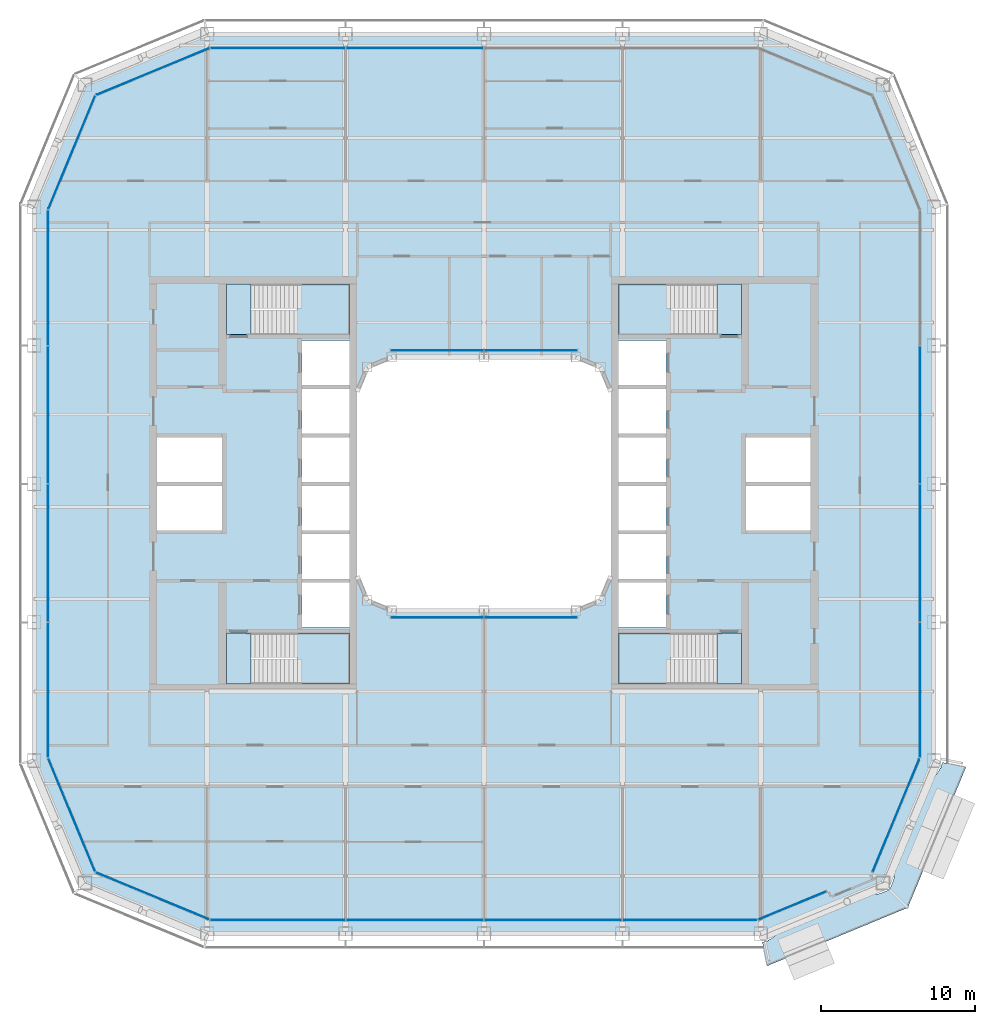
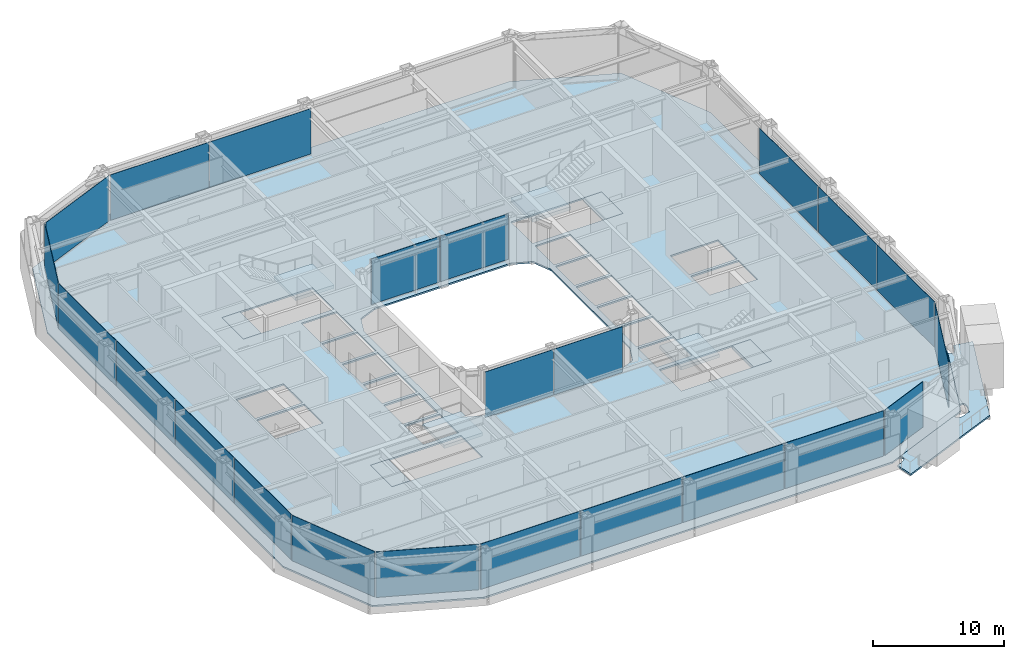
# One storey, part 10 of 23: 23 plates, 10 slabs, 16 elements without a shape of their own.
"""IFC4 building model written with IfcOpenShell, lengths in metres."""

from ifc_helpers import new_model, si_unit, direction, frame, origin, origin_2d, place, context, subcontext, project, spatial, polyline, rectangle, outline, extrude, material, layer, layer_set, type_object, element, aggregate, save


model = new_model("IFC4")

# Units and contexts
model_context = context("Model", 3, precision=1e-05, world=origin(), true_north=direction((0.0, 1.0)))
body_context = subcontext(model_context, "Body", "Model", "MODEL_VIEW")
ifc_project = project(units=[si_unit("LENGTHUNIT", "METRE"), si_unit("AREAUNIT", "SQUARE_METRE"), si_unit("VOLUMEUNIT", "CUBIC_METRE"), si_unit("PLANEANGLEUNIT", "RADIAN"), si_unit("MASSUNIT", "GRAM", prefix="KILO")], contexts=[model_context])

# Site, building, storey
site_placement = place(None, origin())
site = spatial("IfcSite", under=ifc_project, at=site_placement, CompositionType="ELEMENT")
building_placement = place(site_placement, origin())
building = spatial("IfcBuilding", under=site, at=building_placement, Name="Siwar Civic Tower", CompositionType="ELEMENT")
storey_placement = place(building_placement, frame((0.0, 0.0, 145.199951171875)))
storey = spatial("IfcBuildingStorey", under=building, at=storey_placement, Name="L31", CompositionType="ELEMENT", Elevation=145.199951171875)

# Stair, slabs
ifc_material_1 = material(Name="Concrete C40/50", Category="concrete")
stair_type = type_object("IfcStairType", Name="CORE-STAIR", PredefinedType="TWO_STRAIGHT_RUN_STAIR", material=ifc_material_1)
stair_1_placement = place(storey_placement, origin())
stair_1 = element("IfcStair", 1, at=stair_1_placement, inside=storey, type_object=stair_type, Name="Exit stair ST1", PredefinedType="TWO_STRAIGHT_RUN_STAIR")
ifc_material_2 = material(Name="Concrete C40/50", Category="concrete")
ifc_layer_1 = layer(ifc_material_2, 0.300048828125)
ifc_layer_set_1 = layer_set([ifc_layer_1], Name="Concrete C40/50")
slab_type_1 = type_object("IfcSlabType", Name="CORE-STAIR-LANDING", PredefinedType="LANDING", material=ifc_layer_set_1)
slab_1_placement = place(storey_placement, frame((0.0, 0.0, -0.300048828125)))
slab_1 = element("IfcSlab", 2, at=slab_1_placement, type_object=slab_type_1, Name="ST1 landing 1", PredefinedType="LANDING", context=body_context, shape_type="SweptSolid", body=[
    extrude(outline(polyline([(-15.14990234375, 13.0), (-16.75, 13.0), (-16.75, 9.699951171875), (-15.14990234375, 9.699951171875), (-15.14990234375, 13.0)])), origin(), (0.0, 0.0, 1.0), 0.300048828125),
])
slab_2_placement = place(storey_placement, frame((0.0, 0.0, 1.949951171875)))
slab_2 = element("IfcSlab", 3, at=slab_2_placement, type_object=slab_type_1, Name="ST1 landing 2", PredefinedType="LANDING", context=body_context, shape_type="SweptSolid", body=[
    extrude(outline(polyline([(-8.75, 13.0), (-12.139892578125, 13.0), (-12.139892578125, 9.699951171875), (-8.75, 9.699951171875), (-8.75, 13.0)])), origin(), (0.0, 0.0, 1.0), 0.300048828125),
])
aggregate(stair_1, [slab_1, slab_2])

stair_2_placement = place(storey_placement, origin())
stair_2 = element("IfcStair", 4, at=stair_2_placement, inside=storey, type_object=stair_type, Name="Exit stair ST2", PredefinedType="TWO_STRAIGHT_RUN_STAIR")
slab_3_placement = place(storey_placement, frame((0.0, 0.0, -0.300048828125)))
slab_3 = element("IfcSlab", 5, at=slab_3_placement, type_object=slab_type_1, Name="ST2 landing 1", PredefinedType="LANDING", context=body_context, shape_type="SweptSolid", body=[
    extrude(outline(polyline([(-15.14990234375, -9.699951171875), (-16.75, -9.699951171875), (-16.75, -13.0), (-15.14990234375, -13.0), (-15.14990234375, -9.699951171875)])), origin(), (0.0, 0.0, 1.0), 0.300048828125),
])
slab_4_placement = place(storey_placement, frame((0.0, 0.0, 1.949951171875)))
slab_4 = element("IfcSlab", 6, at=slab_4_placement, type_object=slab_type_1, Name="ST2 landing 2", PredefinedType="LANDING", context=body_context, shape_type="SweptSolid", body=[
    extrude(outline(polyline([(-8.75, -9.699951171875), (-12.139892578125, -9.699951171875), (-12.139892578125, -13.0), (-8.75, -13.0), (-8.75, -9.699951171875)])), origin(), (0.0, 0.0, 1.0), 0.300048828125),
])
aggregate(stair_2, [slab_3, slab_4])

stair_3_placement = place(storey_placement, origin())
stair_3 = element("IfcStair", 7, at=stair_3_placement, inside=storey, type_object=stair_type, Name="Exit stair ST3", PredefinedType="TWO_STRAIGHT_RUN_STAIR")
slab_5_placement = place(storey_placement, frame((0.0, 0.0, -0.300048828125)))
slab_5 = element("IfcSlab", 8, at=slab_5_placement, type_object=slab_type_1, Name="ST3 landing 1", PredefinedType="LANDING", context=body_context, shape_type="SweptSolid", body=[
    extrude(outline(polyline([(15.14990234375, 9.699951171875), (16.75, 9.699951171875), (16.75, 13.0), (15.14990234375, 13.0), (15.14990234375, 9.699951171875)])), origin(), (0.0, 0.0, 1.0), 0.300048828125),
])
slab_6_placement = place(storey_placement, frame((0.0, 0.0, 1.949951171875)))
slab_6 = element("IfcSlab", 9, at=slab_6_placement, type_object=slab_type_1, Name="ST3 landing 2", PredefinedType="LANDING", context=body_context, shape_type="SweptSolid", body=[
    extrude(outline(polyline([(8.75, 9.699951171875), (12.139892578125, 9.699951171875), (12.139892578125, 13.0), (8.75, 13.0), (8.75, 9.699951171875)])), origin(), (0.0, 0.0, 1.0), 0.300048828125),
])
aggregate(stair_3, [slab_5, slab_6])

stair_4_placement = place(storey_placement, origin())
stair_4 = element("IfcStair", 10, at=stair_4_placement, inside=storey, type_object=stair_type, Name="Exit stair ST4", PredefinedType="TWO_STRAIGHT_RUN_STAIR")
slab_7_placement = place(storey_placement, frame((0.0, 0.0, -0.300048828125)))
slab_7 = element("IfcSlab", 11, at=slab_7_placement, type_object=slab_type_1, Name="ST4 landing 1", PredefinedType="LANDING", context=body_context, shape_type="SweptSolid", body=[
    extrude(outline(polyline([(15.14990234375, -13.0), (16.75, -13.0), (16.75, -9.699951171875), (15.14990234375, -9.699951171875), (15.14990234375, -13.0)])), origin(), (0.0, 0.0, 1.0), 0.300048828125),
])
slab_8_placement = place(storey_placement, frame((0.0, 0.0, 1.949951171875)))
slab_8 = element("IfcSlab", 12, at=slab_8_placement, type_object=slab_type_1, Name="ST4 landing 2", PredefinedType="LANDING", context=body_context, shape_type="SweptSolid", body=[
    extrude(outline(polyline([(8.75, -13.0), (12.139892578125, -13.0), (12.139892578125, -9.699951171875), (8.75, -9.699951171875), (8.75, -13.0)])), origin(), (0.0, 0.0, 1.0), 0.300048828125),
])
aggregate(stair_4, [slab_7, slab_8])

# Slab
ifc_material_3 = material(Name="Concrete C40/50", Category="concrete")
ifc_layer_2 = layer(ifc_material_3, 0.14990234375)
ifc_layer_set_2 = layer_set([ifc_layer_2], Name="Concrete C40/50")
slab_type_2 = type_object("IfcSlabType", Name="ENV-BALCONY DECK 150", PredefinedType="FLOOR", material=ifc_layer_set_2)
slab_9_placement = place(storey_placement, frame((0.0, 0.0, -0.1494140625)))
element("IfcSlab", 13, at=slab_9_placement, inside=storey, type_object=slab_type_2, Name="Tree balcony deck SE", PredefinedType="FLOOR", context=body_context, shape_type="SweptSolid", body=[
    extrude(outline(polyline([(26.263427734375, -26.43310546875), (26.258056640625, -26.435546875), (26.258056640625, -26.435546875), (26.2333984375, -26.44580078125), (26.151611328125, -26.479736328125), (25.921875, -26.575439453125), (25.897216796875, -26.585693359375), (25.88916015625, -26.589111328125), (25.88720703125, -26.58984375), (25.81494140625, -26.617431640625), (25.81005859375, -26.619140625), (25.74462890625, -26.639404296875), (25.740234375, -26.640625), (25.673583984375, -26.65673828125), (25.669189453125, -26.65771484375), (25.601806640625, -26.669921875), (25.59765625, -26.67041015625), (25.529541015625, -26.6787109375), (25.523681640625, -26.67919921875), (25.517578125, -26.67919921875), (25.406005859375, -26.6748046875), (25.397216796875, -26.674072265625), (25.388671875, -26.672119140625), (25.345703125, -26.66015625), (25.34130859375, -26.65869140625), (25.299072265625, -26.64404296875), (25.29150390625, -26.640869140625), (25.284423828125, -26.63720703125), (25.251220703125, -26.61669921875), (25.247802734375, -26.614501953125), (25.216064453125, -26.59228515625), (25.209716796875, -26.58740234375), (25.203857421875, -26.581787109375), (25.19873046875, -26.575439453125), (25.1943359375, -26.56884765625), (25.190673828125, -26.561767578125), (25.177001953125, -26.531494140625), (25.17529296875, -26.52734375), (25.16357421875, -26.496337890625), (25.1611328125, -26.488525390625), (25.159423828125, -26.480712890625), (25.15869140625, -26.47265625), (25.15869140625, -26.464599609375), (25.15966796875, -26.456787109375), (25.166259765625, -26.418701171875), (25.167236328125, -26.41455078125), (25.176025390625, -26.376708984375), (25.17822265625, -26.368896484375), (25.181396484375, -26.361328125), (25.20068359375, -26.321044921875), (25.202880859375, -26.31689453125), (25.224609375, -26.27783203125), (25.2294921875, -26.2705078125), (25.23486328125, -26.263671875), (25.25048828125, -26.246826171875), (18.724609375, -28.949951171875), (18.77490234375, -28.951904296875), (18.783447265625, -28.95263671875), (18.7919921875, -28.95458984375), (18.835205078125, -28.966552734375), (18.839599609375, -28.968017578125), (18.8818359375, -28.982666015625), (18.889404296875, -28.98583984375), (18.896484375, -28.98974609375), (18.9296875, -29.010009765625), (18.935302734375, -29.013916015625), (18.940673828125, -29.018310546875), (18.945556640625, -29.023193359375), (18.968994140625, -29.048583984375), (18.971923828125, -29.052001953125), (18.99365234375, -29.078857421875), (18.998046875, -29.084716796875), (19.001708984375, -29.0908203125), (19.0048828125, -29.097412109375), (19.00732421875, -29.104248046875), (19.009033203125, -29.111083984375), (19.01025390625, -29.118408203125), (19.013671875, -29.15283203125), (19.01416015625, -29.1572265625), (19.015625, -29.19189453125), (19.015625, -29.19873046875), (19.01513671875, -29.20556640625), (19.013671875, -29.21240234375), (19.0048828125, -29.25), (19.002685546875, -29.2578125), (18.99951171875, -29.265380859375), (18.980224609375, -29.305908203125), (18.97802734375, -29.309814453125), (18.956298828125, -29.348876953125), (18.951416015625, -29.356201171875), (18.946044921875, -29.363037109375), (18.870361328125, -29.4453125), (18.865966796875, -29.44970703125), (18.861572265625, -29.453369140625), (18.8076171875, -29.495849609375), (18.80419921875, -29.498291015625), (18.748046875, -29.53759765625), (18.744384765625, -29.5400390625), (18.68603515625, -29.575927734375), (18.681884765625, -29.578369140625), (18.62158203125, -29.610595703125), (18.616943359375, -29.61279296875), (18.54638671875, -29.64453125), (18.54443359375, -29.645263671875), (18.4951171875, -29.665771484375), (18.47509765625, -29.674072265625), (18.47509765625, -29.72509765625), (18.352783203125, -29.72509765625), (18.314697265625, -29.740966796875), (18.232666015625, -29.775146484375), (18.19970703125, -29.788818359375), (18.175048828125, -29.798828125), (18.175048828125, -29.798828125), (18.16748046875, -29.8017578125), (18.148193359375, -29.807373046875), (18.140625, -29.80908203125), (18.1328125, -29.81005859375), (18.1123046875, -29.8115234375), (18.11181640625, -29.8115234375), (18.417724609375, -31.35009765625), (27.562255859375, -27.562255859375), (31.35009765625, -18.417724609375), (29.80810546875, -18.111083984375), (29.808349609375, -18.114013671875), (29.80859375, -18.13037109375), (29.808349609375, -18.136962890625), (29.8076171875, -18.1435546875), (29.80615234375, -18.150146484375), (29.80224609375, -18.1650390625), (29.798828125, -18.175048828125), (29.788818359375, -18.19970703125), (29.755615234375, -18.279052734375), (29.740966796875, -18.314697265625), (29.72509765625, -18.352783203125), (29.72509765625, -18.47509765625), (29.674072265625, -18.47509765625), (29.665771484375, -18.4951171875), (29.645263671875, -18.54443359375), (29.64453125, -18.54638671875), (29.61279296875, -18.616943359375), (29.610595703125, -18.62158203125), (29.578369140625, -18.681884765625), (29.575927734375, -18.68603515625), (29.5400390625, -18.744384765625), (29.53759765625, -18.748046875), (29.498291015625, -18.80419921875), (29.495849609375, -18.8076171875), (29.453369140625, -18.861572265625), (29.44970703125, -18.865966796875), (29.4453125, -18.870361328125), (29.363037109375, -18.946044921875), (29.356201171875, -18.951416015625), (29.348876953125, -18.956298828125), (29.309814453125, -18.97802734375), (29.305908203125, -18.980224609375), (29.265380859375, -18.99951171875), (29.2578125, -19.002685546875), (29.25, -19.0048828125), (29.21240234375, -19.013671875), (29.20556640625, -19.01513671875), (29.19873046875, -19.015625), (29.19189453125, -19.015625), (29.1572265625, -19.01416015625), (29.15283203125, -19.013671875), (29.118408203125, -19.01025390625), (29.111083984375, -19.009033203125), (29.104248046875, -19.00732421875), (29.097412109375, -19.0048828125), (29.0908203125, -19.001708984375), (29.084716796875, -18.998046875), (29.078857421875, -18.99365234375), (29.052001953125, -18.971923828125), (29.048583984375, -18.968994140625), (29.023193359375, -18.945556640625), (29.018310546875, -18.940673828125), (29.013916015625, -18.935302734375), (29.010009765625, -18.9296875), (28.98974609375, -18.896484375), (28.98583984375, -18.889404296875), (28.982666015625, -18.8818359375), (28.968017578125, -18.839599609375), (28.966552734375, -18.835205078125), (28.95458984375, -18.7919921875), (28.95263671875, -18.783447265625), (28.951904296875, -18.77490234375), (28.949951171875, -18.724609375), (26.246826171875, -25.25048828125), (26.263671875, -25.23486328125), (26.2705078125, -25.2294921875), (26.27783203125, -25.224609375), (26.31689453125, -25.202880859375), (26.321044921875, -25.20068359375), (26.361328125, -25.181396484375), (26.368896484375, -25.17822265625), (26.376708984375, -25.176025390625), (26.41455078125, -25.167236328125), (26.418701171875, -25.166259765625), (26.456787109375, -25.15966796875), (26.464599609375, -25.15869140625), (26.47265625, -25.15869140625), (26.480712890625, -25.159423828125), (26.488525390625, -25.1611328125), (26.496337890625, -25.16357421875), (26.52734375, -25.17529296875), (26.531494140625, -25.177001953125), (26.561767578125, -25.190673828125), (26.56884765625, -25.1943359375), (26.575439453125, -25.19873046875), (26.581787109375, -25.203857421875), (26.58740234375, -25.209716796875), (26.59228515625, -25.216064453125), (26.614501953125, -25.247802734375), (26.61669921875, -25.251220703125), (26.63720703125, -25.284423828125), (26.640869140625, -25.29150390625), (26.64404296875, -25.299072265625), (26.65869140625, -25.34130859375), (26.66015625, -25.345703125), (26.672119140625, -25.388671875), (26.674072265625, -25.397216796875), (26.6748046875, -25.406005859375), (26.67919921875, -25.517578125), (26.67919921875, -25.523681640625), (26.6787109375, -25.529541015625), (26.67041015625, -25.59765625), (26.669921875, -25.601806640625), (26.65771484375, -25.669189453125), (26.65673828125, -25.673583984375), (26.640625, -25.740234375), (26.639404296875, -25.74462890625), (26.619140625, -25.81005859375), (26.617431640625, -25.81494140625), (26.58984375, -25.88720703125), (26.589111328125, -25.88916015625), (26.585693359375, -25.897216796875), (26.575439453125, -25.921875), (26.479736328125, -26.151611328125), (26.44580078125, -26.2333984375), (26.435546875, -26.258056640625), (26.4306640625, -26.267578125), (26.429931640625, -26.268798828125), (26.429931640625, -26.429931640625), (26.26953125, -26.429931640625), (26.263427734375, -26.43310546875)])), origin(), (0.0, 0.0, 1.0), 0.1494140625),
])

# Curtain wall, plates
ifc_material_4 = material(Name="Aluminium and glass", Category="aluminium")
ifc_layer_3 = layer(ifc_material_4, 0.199951171875)
ifc_layer_set_3 = layer_set([ifc_layer_3], Name="Aluminium and glass")
curtain_wall_type_1 = type_object("IfcCurtainWallType", Name="ENV-CW-B", PredefinedType="NOTDEFINED", material=ifc_layer_set_3)
curtain_wall_1_placement = place(storey_placement, origin())
curtain_wall_1 = element("IfcCurtainWall", 14, at=curtain_wall_1_placement, inside=storey, type_object=curtain_wall_type_1, Name="Curtain wall B S", PredefinedType="NOTDEFINED")
ifc_material_5 = material(Name="Glass clear laminated", Category="glass")
ifc_layer_4 = layer(ifc_material_5, 0.033935546875)
ifc_layer_set_4 = layer_set([ifc_layer_4], Name="Glass clear laminated")
plate_type_1 = type_object("IfcPlateType", Name="ENV-PANEL-B", PredefinedType="CURTAIN_PANEL", material=ifc_layer_set_4)
plate_1_placement = place(storey_placement, frame((-13.410400390625, -28.35009765625, 0.10986328125), z_axis=(0.0, 0.0, 1.0), x_axis=(1.0, 0.0, 0.0)))
plate_1 = element("IfcPlate", 15, at=plate_1_placement, type_object=plate_type_1, Name="Curtain panel B S 1", PredefinedType="CURTAIN_PANEL", context=body_context, shape_type="SweptSolid", body=[
    extrude(rectangle(XDim=8.755859375, YDim=0.033935546875, at=origin_2d()), origin(), (0.0, 0.0, 1.0), 4.239990234375),
])
plate_2_placement = place(storey_placement, frame((-4.5, -28.35009765625, 0.10986328125), z_axis=(0.0, 0.0, 1.0), x_axis=(1.0, 0.0, 0.0)))
plate_2 = element("IfcPlate", 16, at=plate_2_placement, type_object=plate_type_1, Name="Curtain panel B S 2", PredefinedType="CURTAIN_PANEL", context=body_context, shape_type="SweptSolid", body=[
    extrude(rectangle(XDim=8.93505859375, YDim=0.033935546875, at=origin_2d()), origin(), (0.0, 0.0, 1.0), 4.239990234375),
])
plate_3_placement = place(storey_placement, frame((4.5, -28.35009765625, 0.10986328125), z_axis=(0.0, 0.0, 1.0), x_axis=(1.0, 0.0, 0.0)))
plate_3 = element("IfcPlate", 17, at=plate_3_placement, type_object=plate_type_1, Name="Curtain panel B S 3", PredefinedType="CURTAIN_PANEL", context=body_context, shape_type="SweptSolid", body=[
    extrude(rectangle(XDim=8.93505859375, YDim=0.033935546875, at=origin_2d()), origin(), (0.0, 0.0, 1.0), 4.239990234375),
])
plate_4_placement = place(storey_placement, frame((13.369873046875, -28.35009765625, 0.10986328125), z_axis=(0.0, 0.0, 1.0), x_axis=(1.0, 0.0, 0.0)))
plate_4 = element("IfcPlate", 18, at=plate_4_placement, type_object=plate_type_1, Name="Curtain panel B S 4", PredefinedType="CURTAIN_PANEL", context=body_context, shape_type="SweptSolid", body=[
    extrude(rectangle(XDim=8.6748046875, YDim=0.033935546875, at=origin_2d()), origin(), (0.0, 0.0, 1.0), 4.239990234375),
])
aggregate(curtain_wall_1, [plate_1, plate_2, plate_3, plate_4])

curtain_wall_2_placement = place(storey_placement, origin())
curtain_wall_2 = element("IfcCurtainWall", 19, at=curtain_wall_2_placement, inside=storey, type_object=curtain_wall_type_1, Name="Curtain wall B E", PredefinedType="NOTDEFINED")
plate_5_placement = place(storey_placement, frame((28.35009765625, -13.410400390625, 0.10986328125), z_axis=(0.0, 0.0, 1.0), x_axis=(0.0, 1.0, 0.0)))
plate_5 = element("IfcPlate", 20, at=plate_5_placement, type_object=plate_type_1, Name="Curtain panel B E 1", PredefinedType="CURTAIN_PANEL", context=body_context, shape_type="SweptSolid", body=[
    extrude(rectangle(XDim=8.755859375, YDim=0.033935546875, at=origin_2d()), origin(), (0.0, 0.0, 1.0), 4.239990234375),
])
plate_6_placement = place(storey_placement, frame((28.35009765625, -4.5, 0.10986328125), z_axis=(0.0, 0.0, 1.0), x_axis=(0.0, 1.0, 0.0)))
plate_6 = element("IfcPlate", 21, at=plate_6_placement, type_object=plate_type_1, Name="Curtain panel B E 2", PredefinedType="CURTAIN_PANEL", context=body_context, shape_type="SweptSolid", body=[
    extrude(rectangle(XDim=8.93505859375, YDim=0.033935546875, at=origin_2d()), origin(), (0.0, 0.0, 1.0), 4.239990234375),
])
plate_7_placement = place(storey_placement, frame((28.35009765625, 4.5, 0.10986328125), z_axis=(0.0, 0.0, 1.0), x_axis=(0.0, 1.0, 0.0)))
plate_7 = element("IfcPlate", 22, at=plate_7_placement, type_object=plate_type_1, Name="Curtain panel B E 3", PredefinedType="CURTAIN_PANEL", context=body_context, shape_type="SweptSolid", body=[
    extrude(rectangle(XDim=8.93505859375, YDim=0.033935546875, at=origin_2d()), origin(), (0.0, 0.0, 1.0), 4.239990234375),
])
aggregate(curtain_wall_2, [plate_5, plate_6, plate_7])

curtain_wall_3_placement = place(storey_placement, origin())
curtain_wall_3 = element("IfcCurtainWall", 23, at=curtain_wall_3_placement, inside=storey, type_object=curtain_wall_type_1, Name="Curtain wall B N", PredefinedType="NOTDEFINED")
plate_8_placement = place(storey_placement, frame((-4.5, 28.35009765625, 0.10986328125), z_axis=(0.0, 0.0, 1.0), x_axis=(-1.0, 0.0, 0.0)))
plate_8 = element("IfcPlate", 24, at=plate_8_placement, type_object=plate_type_1, Name="Curtain panel B N 3", PredefinedType="CURTAIN_PANEL", context=body_context, shape_type="SweptSolid", body=[
    extrude(rectangle(XDim=8.93505859375, YDim=0.033935546875, at=origin_2d()), origin(), (0.0, 0.0, 1.0), 4.239990234375),
])
plate_9_placement = place(storey_placement, frame((-13.369873046875, 28.35009765625, 0.10986328125), z_axis=(0.0, 0.0, 1.0), x_axis=(-1.0, 0.0, 0.0)))
plate_9 = element("IfcPlate", 25, at=plate_9_placement, type_object=plate_type_1, Name="Curtain panel B N 4", PredefinedType="CURTAIN_PANEL", context=body_context, shape_type="SweptSolid", body=[
    extrude(rectangle(XDim=8.6748046875, YDim=0.033935546875, at=origin_2d()), origin(), (0.0, 0.0, 1.0), 4.239990234375),
])
aggregate(curtain_wall_3, [plate_8, plate_9])

curtain_wall_4_placement = place(storey_placement, origin())
curtain_wall_4 = element("IfcCurtainWall", 26, at=curtain_wall_4_placement, inside=storey, type_object=curtain_wall_type_1, Name="Curtain wall B W", PredefinedType="NOTDEFINED")
plate_10_placement = place(storey_placement, frame((-28.35009765625, 13.410400390625, 0.10986328125), z_axis=(0.0, 0.0, 1.0), x_axis=(0.0, -1.0, 0.0)))
plate_10 = element("IfcPlate", 27, at=plate_10_placement, type_object=plate_type_1, Name="Curtain panel B W 1", PredefinedType="CURTAIN_PANEL", context=body_context, shape_type="SweptSolid", body=[
    extrude(rectangle(XDim=8.755859375, YDim=0.033935546875, at=origin_2d()), origin(), (0.0, 0.0, 1.0), 4.239990234375),
])
plate_11_placement = place(storey_placement, frame((-28.35009765625, 4.5, 0.10986328125), z_axis=(0.0, 0.0, 1.0), x_axis=(0.0, -1.0, 0.0)))
plate_11 = element("IfcPlate", 28, at=plate_11_placement, type_object=plate_type_1, Name="Curtain panel B W 2", PredefinedType="CURTAIN_PANEL", context=body_context, shape_type="SweptSolid", body=[
    extrude(rectangle(XDim=8.93505859375, YDim=0.033935546875, at=origin_2d()), origin(), (0.0, 0.0, 1.0), 4.239990234375),
])
plate_12_placement = place(storey_placement, frame((-28.35009765625, -4.5, 0.10986328125), z_axis=(0.0, 0.0, 1.0), x_axis=(0.0, -1.0, 0.0)))
plate_12 = element("IfcPlate", 29, at=plate_12_placement, type_object=plate_type_1, Name="Curtain panel B W 3", PredefinedType="CURTAIN_PANEL", context=body_context, shape_type="SweptSolid", body=[
    extrude(rectangle(XDim=8.93505859375, YDim=0.033935546875, at=origin_2d()), origin(), (0.0, 0.0, 1.0), 4.239990234375),
])
plate_13_placement = place(storey_placement, frame((-28.35009765625, -13.369873046875, 0.10986328125), z_axis=(0.0, 0.0, 1.0), x_axis=(0.0, -1.0, 0.0)))
plate_13 = element("IfcPlate", 30, at=plate_13_placement, type_object=plate_type_1, Name="Curtain panel B W 4", PredefinedType="CURTAIN_PANEL", context=body_context, shape_type="SweptSolid", body=[
    extrude(rectangle(XDim=8.6748046875, YDim=0.033935546875, at=origin_2d()), origin(), (0.0, 0.0, 1.0), 4.239990234375),
])
aggregate(curtain_wall_4, [plate_10, plate_11, plate_12, plate_13])

# Curtain wall, plate
ifc_material_6 = material(Name="Aluminium clad insulated panel", Category="aluminium")
ifc_layer_5 = layer(ifc_material_6, 0.199951171875)
ifc_layer_set_5 = layer_set([ifc_layer_5], Name="Aluminium clad insulated panel")
curtain_wall_type_2 = type_object("IfcCurtainWallType", Name="ENV-CW-BX", PredefinedType="NOTDEFINED", material=ifc_layer_set_5)
curtain_wall_5_placement = place(storey_placement, origin())
curtain_wall_5 = element("IfcCurtainWall", 31, at=curtain_wall_5_placement, inside=storey, type_object=curtain_wall_type_2, Name="Curtain wall B SE1", PredefinedType="NOTDEFINED")
ifc_material_7 = material(Name="Aluminium clad insulated panel", Category="aluminium")
ifc_layer_6 = layer(ifc_material_7, 0.033935546875)
ifc_layer_set_6 = layer_set([ifc_layer_6], Name="Aluminium clad insulated panel")
plate_type_2 = type_object("IfcPlateType", Name="ENV-PANEL-BX", PredefinedType="CURTAIN_PANEL", material=ifc_layer_set_6)
plate_14_placement = place(storey_placement, frame((20.06005859375, -27.422607421875, 0.10986328125), z_axis=(0.0, 0.0, 1.0), x_axis=(0.923879532511, 0.382683432365, 0.0)))
plate_14 = element("IfcPlate", 32, at=plate_14_placement, type_object=plate_type_2, Name="Curtain panel B SE1 1", PredefinedType="CURTAIN_PANEL", context=body_context, shape_type="SweptSolid", body=[
    extrude(rectangle(XDim=4.7822265625, YDim=0.033935546875, at=origin_2d()), origin(), (0.0, 0.0, 1.0), 4.239990234375),
])
aggregate(curtain_wall_5, [plate_14])

curtain_wall_6_placement = place(storey_placement, origin())
curtain_wall_6 = element("IfcCurtainWall", 33, at=curtain_wall_6_placement, inside=storey, type_object=curtain_wall_type_2, Name="Curtain wall B SE2", PredefinedType="NOTDEFINED")
plate_15_placement = place(storey_placement, frame((26.79248046875, -21.5810546875, 0.10986328125), z_axis=(0.0, 0.0, 1.0), x_axis=(0.382683432365, 0.923879532511, 0.0)))
plate_15 = element("IfcPlate", 34, at=plate_15_placement, type_object=plate_type_2, Name="Curtain panel B SE2 1", PredefinedType="CURTAIN_PANEL", context=body_context, shape_type="SweptSolid", body=[
    extrude(rectangle(XDim=7.912353515625, YDim=0.033935546875, at=origin_2d()), origin(), (0.0, 0.0, 1.0), 4.239990234375),
])
aggregate(curtain_wall_6, [plate_15])

curtain_wall_7_placement = place(storey_placement, origin())
curtain_wall_7 = element("IfcCurtainWall", 35, at=curtain_wall_7_placement, inside=storey, type_object=curtain_wall_type_2, Name="Curtain wall B NW1", PredefinedType="NOTDEFINED")
plate_16_placement = place(storey_placement, frame((-21.506103515625, 26.823486328125, 0.10986328125), z_axis=(0.0, 0.0, 1.0), x_axis=(-0.923879532511, -0.382683432365, 0.0)))
plate_16 = element("IfcPlate", 36, at=plate_16_placement, type_object=plate_type_2, Name="Curtain panel B NW1 1", PredefinedType="CURTAIN_PANEL", context=body_context, shape_type="SweptSolid", body=[
    extrude(rectangle(XDim=7.912353515625, YDim=0.033935546875, at=origin_2d()), origin(), (0.0, 0.0, 1.0), 4.239990234375),
])
aggregate(curtain_wall_7, [plate_16])

curtain_wall_8_placement = place(storey_placement, origin())
curtain_wall_8 = element("IfcCurtainWall", 37, at=curtain_wall_8_placement, inside=storey, type_object=curtain_wall_type_2, Name="Curtain wall B NW2", PredefinedType="NOTDEFINED")
plate_17_placement = place(storey_placement, frame((-26.79248046875, 21.5810546875, 0.10986328125), z_axis=(0.0, 0.0, 1.0), x_axis=(-0.382683432365, -0.923879532511, 0.0)))
plate_17 = element("IfcPlate", 38, at=plate_17_placement, type_object=plate_type_2, Name="Curtain panel B NW2 1", PredefinedType="CURTAIN_PANEL", context=body_context, shape_type="SweptSolid", body=[
    extrude(rectangle(XDim=7.912353515625, YDim=0.033935546875, at=origin_2d()), origin(), (0.0, 0.0, 1.0), 4.239990234375),
])
aggregate(curtain_wall_8, [plate_17])

curtain_wall_9_placement = place(storey_placement, origin())
curtain_wall_9 = element("IfcCurtainWall", 39, at=curtain_wall_9_placement, inside=storey, type_object=curtain_wall_type_2, Name="Curtain wall B SW1", PredefinedType="NOTDEFINED")
plate_18_placement = place(storey_placement, frame((-26.823486328125, -21.506103515625, 0.10986328125), z_axis=(0.0, 0.0, 1.0), x_axis=(0.382683432365, -0.923879532511, 0.0)))
plate_18 = element("IfcPlate", 40, at=plate_18_placement, type_object=plate_type_2, Name="Curtain panel B SW1 1", PredefinedType="CURTAIN_PANEL", context=body_context, shape_type="SweptSolid", body=[
    extrude(rectangle(XDim=7.912353515625, YDim=0.033935546875, at=origin_2d()), origin(), (0.0, 0.0, 1.0), 4.239990234375),
])
aggregate(curtain_wall_9, [plate_18])

curtain_wall_10_placement = place(storey_placement, origin())
curtain_wall_10 = element("IfcCurtainWall", 41, at=curtain_wall_10_placement, inside=storey, type_object=curtain_wall_type_2, Name="Curtain wall B SW2", PredefinedType="NOTDEFINED")
plate_19_placement = place(storey_placement, frame((-21.5810546875, -26.79248046875, 0.10986328125), z_axis=(0.0, 0.0, 1.0), x_axis=(0.923879532511, -0.382683432365, 0.0)))
plate_19 = element("IfcPlate", 42, at=plate_19_placement, type_object=plate_type_2, Name="Curtain panel B SW2 1", PredefinedType="CURTAIN_PANEL", context=body_context, shape_type="SweptSolid", body=[
    extrude(rectangle(XDim=7.912353515625, YDim=0.033935546875, at=origin_2d()), origin(), (0.0, 0.0, 1.0), 4.239990234375),
])
aggregate(curtain_wall_10, [plate_19])

# Curtain wall, plates
ifc_material_8 = material(Name="Aluminium and glass", Category="aluminium")
ifc_layer_7 = layer(ifc_material_8, 0.179931640625)
ifc_layer_set_7 = layer_set([ifc_layer_7], Name="Aluminium and glass")
curtain_wall_type_3 = type_object("IfcCurtainWallType", Name="ENV-CW-W", PredefinedType="NOTDEFINED", material=ifc_layer_set_7)
curtain_wall_11_placement = place(storey_placement, origin())
curtain_wall_11 = element("IfcCurtainWall", 43, at=curtain_wall_11_placement, inside=storey, type_object=curtain_wall_type_3, Name="Curtain wall W WS", PredefinedType="NOTDEFINED")
ifc_material_9 = material(Name="Glass clear laminated", Category="glass")
ifc_layer_8 = layer(ifc_material_9, 0.031982421875)
ifc_layer_set_8 = layer_set([ifc_layer_8], Name="Glass clear laminated")
plate_type_3 = type_object("IfcPlateType", Name="ENV-PANEL-W", PredefinedType="CURTAIN_PANEL", material=ifc_layer_set_8)
plate_20_placement = place(storey_placement, frame((-3.043212890625, -8.68505859375, 0.10009765625), z_axis=(0.0, 0.0, 1.0), x_axis=(1.0, 0.0, 0.0)))
plate_20 = element("IfcPlate", 44, at=plate_20_placement, type_object=plate_type_3, Name="Curtain panel W WS 1", PredefinedType="CURTAIN_PANEL", context=body_context, shape_type="SweptSolid", body=[
    extrude(rectangle(XDim=6.026611328125, YDim=0.031982421875, at=origin_2d()), origin(), (0.0, 0.0, 1.0), 4.25),
])
plate_21_placement = place(storey_placement, frame((3.043212890625, -8.68505859375, 0.10009765625), z_axis=(0.0, 0.0, 1.0), x_axis=(1.0, 0.0, 0.0)))
plate_21 = element("IfcPlate", 45, at=plate_21_placement, type_object=plate_type_3, Name="Curtain panel W WS 2", PredefinedType="CURTAIN_PANEL", context=body_context, shape_type="SweptSolid", body=[
    extrude(rectangle(XDim=6.026611328125, YDim=0.031982421875, at=origin_2d()), origin(), (0.0, 0.0, 1.0), 4.25),
])
aggregate(curtain_wall_11, [plate_20, plate_21])

curtain_wall_12_placement = place(storey_placement, origin())
curtain_wall_12 = element("IfcCurtainWall", 46, at=curtain_wall_12_placement, inside=storey, type_object=curtain_wall_type_3, Name="Curtain wall W WN", PredefinedType="NOTDEFINED")
plate_22_placement = place(storey_placement, frame((3.043212890625, 8.68505859375, 0.10009765625), z_axis=(0.0, 0.0, 1.0), x_axis=(-1.0, 0.0, 0.0)))
plate_22 = element("IfcPlate", 47, at=plate_22_placement, type_object=plate_type_3, Name="Curtain panel W WN 1", PredefinedType="CURTAIN_PANEL", context=body_context, shape_type="SweptSolid", body=[
    extrude(rectangle(XDim=6.026611328125, YDim=0.031982421875, at=origin_2d()), origin(), (0.0, 0.0, 1.0), 4.25),
])
plate_23_placement = place(storey_placement, frame((-3.043212890625, 8.68505859375, 0.10009765625), z_axis=(0.0, 0.0, 1.0), x_axis=(-1.0, 0.0, 0.0)))
plate_23 = element("IfcPlate", 48, at=plate_23_placement, type_object=plate_type_3, Name="Curtain panel W WN 2", PredefinedType="CURTAIN_PANEL", context=body_context, shape_type="SweptSolid", body=[
    extrude(rectangle(XDim=6.026611328125, YDim=0.031982421875, at=origin_2d()), origin(), (0.0, 0.0, 1.0), 4.25),
])
aggregate(curtain_wall_12, [plate_22, plate_23])

# Slab
ifc_material_10 = material(Name="Concrete C40/50", Category="concrete")
ifc_layer_9 = layer(ifc_material_10, 0.14990234375)
ifc_layer_set_9 = layer_set([ifc_layer_9], Name="Concrete C40/50")
slab_type_3 = type_object("IfcSlabType", Name="STR-FLOOR-DECK-150", PredefinedType="FLOOR", material=ifc_layer_set_9)
slab_10_placement = place(storey_placement, frame((0.0, 0.0, -0.14990234375)))
element("IfcSlab", 49, at=slab_10_placement, inside=storey, type_object=slab_type_3, Name="L31/slab/1", PredefinedType="FLOOR", context=body_context, shape_type="SweptSolid", body=[
    extrude(outline(polyline([(-18.0, -29.25), (18.0, -29.25), (25.954833984375, -25.954833984375), (29.25, -18.0), (29.25, 18.0), (25.954833984375, 25.954833984375), (18.0, 29.25), (-18.0, 29.25), (-25.954833984375, 25.954833984375), (-29.25, 18.0), (-29.25, -18.0), (-25.954833984375, -25.954833984375), (-18.0, -29.25)]), holes=[polyline([(21.25, 3.02490234375), (21.25, 0.125), (17.050048828125, 0.125), (17.050048828125, 3.02490234375), (21.25, 3.02490234375)]), polyline([(17.050048828125, -0.125), (21.25, -0.125), (21.25, -3.02490234375), (17.050048828125, -3.02490234375), (17.050048828125, -0.125)]), polyline([(16.75, 13.0), (16.75, 9.699951171875), (8.75, 9.699951171875), (8.75, 13.0), (16.75, 13.0)]), polyline([(8.75, -9.699951171875), (16.75, -9.699951171875), (16.75, -13.0), (8.75, -13.0), (8.75, -9.699951171875)]), polyline([(11.85009765625, 9.324951171875), (11.85009765625, 6.425048828125), (8.75, 6.425048828125), (8.75, 9.324951171875), (11.85009765625, 9.324951171875)]), polyline([(11.85009765625, 3.02490234375), (11.85009765625, 0.125), (8.75, 0.125), (8.75, 3.02490234375), (11.85009765625, 3.02490234375)]), polyline([(11.85009765625, -0.125), (11.85009765625, -3.02490234375), (8.75, -3.02490234375), (8.75, -0.125), (11.85009765625, -0.125)]), polyline([(11.85009765625, -3.27490234375), (11.85009765625, -6.175048828125), (8.75, -6.175048828125), (8.75, -3.27490234375), (11.85009765625, -3.27490234375)]), polyline([(8.75, 6.175048828125), (11.85009765625, 6.175048828125), (11.85009765625, 3.27490234375), (8.75, 3.27490234375), (8.75, 6.175048828125)]), polyline([(8.75, -6.425048828125), (11.85009765625, -6.425048828125), (11.85009765625, -9.324951171875), (8.75, -9.324951171875), (8.75, -6.425048828125)]), polyline([(-6.0, 8.25), (6.0, 8.25), (7.591064453125, 7.591064453125), (8.25, 6.0), (8.25, -6.0), (7.591064453125, -7.591064453125), (6.0, -8.25), (-6.0, -8.25), (-7.591064453125, -7.591064453125), (-8.25, -6.0), (-8.25, 6.0), (-7.591064453125, 7.591064453125), (-6.0, 8.25)]), polyline([(-8.75, 9.699951171875), (-16.75, 9.699951171875), (-16.75, 13.0), (-8.75, 13.0), (-8.75, 9.699951171875)]), polyline([(-8.75, 0.125), (-11.85009765625, 0.125), (-11.85009765625, 3.02490234375), (-8.75, 3.02490234375), (-8.75, 0.125)]), polyline([(-8.75, -6.175048828125), (-11.85009765625, -6.175048828125), (-11.85009765625, -3.27490234375), (-8.75, -3.27490234375), (-8.75, -6.175048828125)]), polyline([(-8.75, -9.324951171875), (-11.85009765625, -9.324951171875), (-11.85009765625, -6.425048828125), (-8.75, -6.425048828125), (-8.75, -9.324951171875)]), polyline([(-8.75, -13.0), (-16.75, -13.0), (-16.75, -9.699951171875), (-8.75, -9.699951171875), (-8.75, -13.0)]), polyline([(-11.85009765625, 6.425048828125), (-11.85009765625, 9.324951171875), (-8.75, 9.324951171875), (-8.75, 6.425048828125), (-11.85009765625, 6.425048828125)]), polyline([(-11.85009765625, 3.27490234375), (-11.85009765625, 6.175048828125), (-8.75, 6.175048828125), (-8.75, 3.27490234375), (-11.85009765625, 3.27490234375)]), polyline([(-11.85009765625, -3.02490234375), (-11.85009765625, -0.125), (-8.75, -0.125), (-8.75, -3.02490234375), (-11.85009765625, -3.02490234375)]), polyline([(-21.25, -3.02490234375), (-21.25, -0.125), (-17.050048828125, -0.125), (-17.050048828125, -3.02490234375), (-21.25, -3.02490234375)]), polyline([(-17.050048828125, 0.125), (-21.25, 0.125), (-21.25, 3.02490234375), (-17.050048828125, 3.02490234375), (-17.050048828125, 0.125)])]), origin(), (0.0, 0.0, 1.0), 0.14990234375),
])

save(model, "model.ifc")
